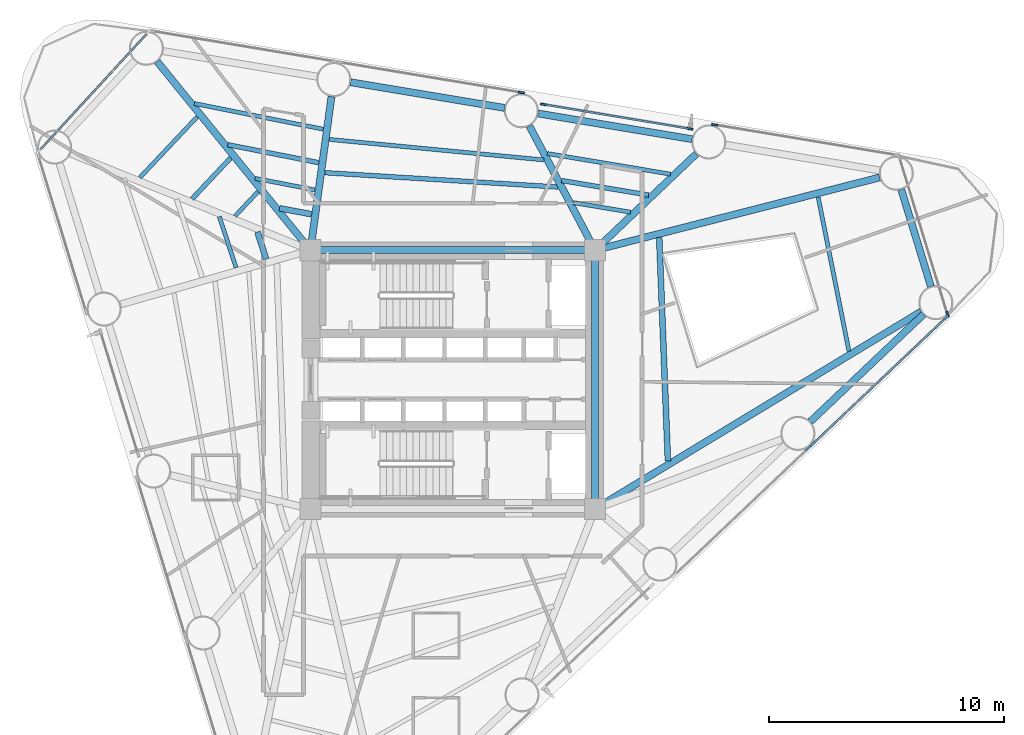
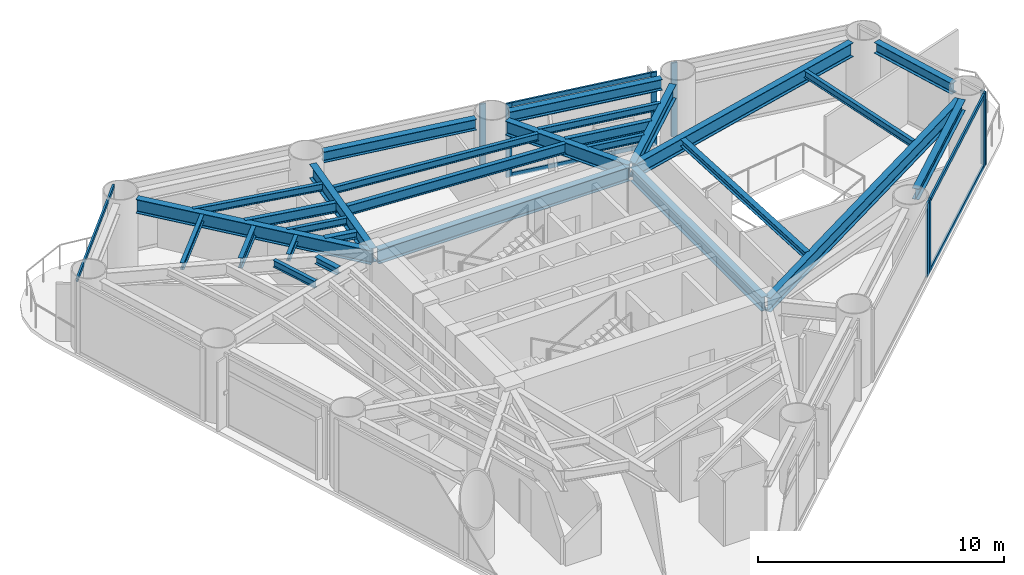
# One storey, part 3 of 10: 28 beams, 14 members, 7 elements without a shape of their own.
"""IFC4 building model written with IfcOpenShell, lengths in metres."""

from ifc_helpers import new_model, si_unit, direction, frame, origin, origin_2d, place, context, subcontext, project, spatial, rectangle, i_section, extrude, source, transform, mapped, material, layer, layer_set, material_profile, profile_set, type_object, element, aggregate, save


model = new_model("IFC4")

# Units and contexts
model_context = context("Model", 3, precision=1e-05, world=origin(), true_north=direction((0.0, 1.0)))
body_context = subcontext(model_context, "Body", "Model", "MODEL_VIEW")
ifc_project = project(units=[si_unit("LENGTHUNIT", "METRE"), si_unit("AREAUNIT", "SQUARE_METRE"), si_unit("VOLUMEUNIT", "CUBIC_METRE"), si_unit("PLANEANGLEUNIT", "RADIAN"), si_unit("MASSUNIT", "GRAM", prefix="KILO")], contexts=[model_context])

# Site, building, storey
site_placement = place(None, origin())
site = spatial("IfcSite", under=ifc_project, at=site_placement, CompositionType="ELEMENT")
building_placement = place(site_placement, origin())
building = spatial("IfcBuilding", under=site, at=building_placement, Name="Yunling Apex Tower", CompositionType="ELEMENT")
storey_placement = place(building_placement, frame((0.0, 0.0, 93.64990234375)))
storey = spatial("IfcBuildingStorey", under=building, at=storey_placement, Name="L23", CompositionType="ELEMENT", Elevation=93.64990234375)

# Beams
ifc_material_1 = material(Name="Steel Q355B", Category="steel")
ifc_material_profile_1 = material_profile(ifc_material_1, i_section(OverallWidth=0.300048828125, OverallDepth=0.699951171875, WebThickness=0.012939453125, FlangeThickness=0.02392578125, FilletRadius=0.02587890625, at=origin_2d()))
ifc_profile_set_1 = profile_set([ifc_material_profile_1], Name="Steel Q355B")
beam_type_1 = type_object("IfcBeamType", Name="BG-PRI-3", PredefinedType="USERDEFINED", material=ifc_profile_set_1)
shared_shape_1 = source(origin(), body_context, "Body", "SweptSolid", [
    extrude(i_section(OverallWidth=0.300048828125, OverallDepth=0.699951171875, WebThickness=0.012939453125, FlangeThickness=0.02392578125, FilletRadius=0.02587890625, at=origin_2d()), origin(), (0.0, 0.0, 1.0), 11.7998046875),
])
beam_1_placement = place(storey_placement, frame((5.89990234375, 5.5, 3.215087890625), z_axis=(-1.0, 0.0, 0.0), x_axis=(0.0, -1.0, 0.0)))
element("IfcBeam", 1, at=beam_1_placement, inside=storey, type_object=beam_type_1, Name="L23 Core Ring Tie Beam 3", ObjectType="GIRDER", PredefinedType="USERDEFINED", context=body_context, shape_type="MappedRepresentation", body=[
    mapped(shared_shape_1, transform((0.0, 0.0, 0.0), scale=1.0)),
])
shared_shape_2 = source(origin(), body_context, "Body", "SweptSolid", [
    extrude(i_section(OverallWidth=0.300048828125, OverallDepth=0.699951171875, WebThickness=0.012939453125, FlangeThickness=0.02392578125, FilletRadius=0.02587890625, at=origin_2d()), origin(), (0.0, 0.0, 1.0), 10.7001953125),
])
beam_2_placement = place(storey_placement, frame((6.050048828125, -5.35009765625, 3.215087890625), z_axis=(0.0, 1.0, 0.0), x_axis=(-1.0, 0.0, 0.0)))
element("IfcBeam", 2, at=beam_2_placement, inside=storey, type_object=beam_type_1, Name="L23 Core Ring Tie Beam 2", ObjectType="GIRDER", PredefinedType="USERDEFINED", context=body_context, shape_type="MappedRepresentation", body=[
    mapped(shared_shape_2, transform((0.0, 0.0, 0.0), scale=1.0)),
])
ifc_material_profile_2 = material_profile(ifc_material_1, i_section(OverallWidth=0.300048828125, OverallDepth=0.5400390625, WebThickness=0.011962890625, FlangeThickness=0.02001953125, FilletRadius=0.02392578125, at=origin_2d()))
ifc_profile_set_2 = profile_set([ifc_material_profile_2], Name="Steel Q355B")
beam_type_2 = type_object("IfcBeamType", Name="BP-SPN-1", PredefinedType="SPANDREL", material=ifc_profile_set_2)
shared_shape_3 = source(origin(), body_context, "Body", "SweptSolid", [
    extrude(i_section(OverallWidth=0.300048828125, OverallDepth=0.5400390625, WebThickness=0.011962890625, FlangeThickness=0.02001953125, FilletRadius=0.02392578125, at=origin_2d()), origin(), (0.0, 0.0, 1.0), 6.6416015625),
])
beam_3_placement = place(storey_placement, frame((15.194580078125, -1.79248046875, 3.295166015625), z_axis=(0.725873473547, 0.687828249203, 0.0), x_axis=(-0.687828249203, 0.725873473547, 0.0)))
element("IfcBeam", 3, at=beam_3_placement, inside=storey, type_object=beam_type_2, Name="L23 Perimeter Spandrel Beam 4", PredefinedType="SPANDREL", context=body_context, shape_type="MappedRepresentation", body=[
    mapped(shared_shape_3, transform((0.0, 0.0, 0.0), scale=1.0)),
])
shared_shape_4 = source(origin(), body_context, "Body", "SweptSolid", [
    extrude(i_section(OverallWidth=0.300048828125, OverallDepth=0.5400390625, WebThickness=0.011962890625, FlangeThickness=0.02001953125, FilletRadius=0.02392578125, at=origin_2d()), origin(), (0.0, 0.0, 1.0), 4.316162109375),
])
beam_4_placement = place(storey_placement, frame((20.327392578125, 3.9580078125, 3.295166015625), z_axis=(-0.29238810835, 0.956299740717, 0.0), x_axis=(-0.956299740717, -0.29238810835, 0.0)))
element("IfcBeam", 4, at=beam_4_placement, inside=storey, type_object=beam_type_2, Name="L23 Perimeter Spandrel Beam 5", PredefinedType="SPANDREL", context=body_context, shape_type="MappedRepresentation", body=[
    mapped(shared_shape_4, transform((0.0, 0.0, 0.0), scale=1.0)),
])
shared_shape_5 = source(origin(), body_context, "Body", "SweptSolid", [
    extrude(i_section(OverallWidth=0.300048828125, OverallDepth=0.5400390625, WebThickness=0.011962890625, FlangeThickness=0.02001953125, FilletRadius=0.02392578125, at=origin_2d()), origin(), (0.0, 0.0, 1.0), 6.641845703125),
])
for number, where, z_axis, x_axis, name in (
    (5, (10.176025390625, 10.21923828125, 3.295166015625), (-0.986402863526, 0.164345340146, 0.0), (-0.164345340146, -0.986402863526, 0.0), "L23 Perimeter Spandrel Beam 7"),
    (6, (2.206298828125, 11.547119140625, 3.295166015625), (-0.986396904036, 0.164381105081, 0.0), (-0.164381105081, -0.986396904036, 0.0), "L23 Perimeter Spandrel Beam 8"),
):
    element("IfcBeam", number, at=place(storey_placement, frame(where, z_axis=z_axis, x_axis=x_axis)), inside=storey, type_object=beam_type_2, Name=name, PredefinedType="SPANDREL", context=body_context, shape_type="MappedRepresentation", body=[
        mapped(shared_shape_5, transform((0.0, 0.0, 0.0), scale=1.0)),
    ])
shared_shape_6 = source(origin(), body_context, "Body", "SweptSolid", [
    extrude(i_section(OverallWidth=0.300048828125, OverallDepth=0.699951171875, WebThickness=0.012939453125, FlangeThickness=0.02392578125, FilletRadius=0.02587890625, at=origin_2d()), origin(), (0.0, 0.0, 1.0), 16.12255859375),
])
beam_5_placement = place(storey_placement, frame((19.91064453125, 2.890869140625, 3.215087890625), z_axis=(-0.855460711475, -0.517867715854, 0.0), x_axis=(0.517867715854, -0.855460711475, 0.0)))
element("IfcBeam", 7, at=beam_5_placement, inside=storey, type_object=beam_type_1, Name="L23 Radial Primary Girder R05", ObjectType="GIRDER", PredefinedType="USERDEFINED", context=body_context, shape_type="MappedRepresentation", body=[
    mapped(shared_shape_6, transform((0.0, 0.0, 0.0), scale=1.0)),
])
shared_shape_7 = source(origin(), body_context, "Body", "SweptSolid", [
    extrude(i_section(OverallWidth=0.300048828125, OverallDepth=0.699951171875, WebThickness=0.012939453125, FlangeThickness=0.02392578125, FilletRadius=0.02587890625, at=origin_2d()), origin(), (0.0, 0.0, 1.0), 12.404052734375),
])
beam_6_placement = place(storey_placement, frame((18.14501953125, 8.591552734375, 3.215087890625), z_axis=(-0.968850823376, -0.247645072723, 0.0), x_axis=(0.247645072723, -0.968850823376, 0.0)))
element("IfcBeam", 8, at=beam_6_placement, inside=storey, type_object=beam_type_1, Name="L23 Radial Primary Girder R06", ObjectType="GIRDER", PredefinedType="USERDEFINED", context=body_context, shape_type="MappedRepresentation", body=[
    mapped(shared_shape_7, transform((0.0, 0.0, 0.0), scale=1.0)),
])
shared_shape_8 = source(origin(), body_context, "Body", "SweptSolid", [
    extrude(i_section(OverallWidth=0.300048828125, OverallDepth=0.699951171875, WebThickness=0.012939453125, FlangeThickness=0.02392578125, FilletRadius=0.02587890625, at=origin_2d()), origin(), (0.0, 0.0, 1.0), 5.861572265625),
])
beam_7_placement = place(storey_placement, frame((10.354248046875, 9.595703125, 3.215087890625), z_axis=(-0.724444921608, -0.689332688588, 0.0), x_axis=(0.689332688588, -0.724444921608, 0.0)))
element("IfcBeam", 9, at=beam_7_placement, inside=storey, type_object=beam_type_1, Name="L23 Radial Primary Girder R07", ObjectType="GIRDER", PredefinedType="USERDEFINED", context=body_context, shape_type="MappedRepresentation", body=[
    mapped(shared_shape_8, transform((0.0, 0.0, 0.0), scale=1.0)),
])
shared_shape_9 = source(origin(), body_context, "Body", "SweptSolid", [
    extrude(i_section(OverallWidth=0.300048828125, OverallDepth=0.699951171875, WebThickness=0.012939453125, FlangeThickness=0.02392578125, FilletRadius=0.02587890625, at=origin_2d()), origin(), (0.0, 0.0, 1.0), 5.8935546875),
])
beam_8_placement = place(storey_placement, frame((3.258056640625, 10.781005859375, 3.215087890625), z_axis=(0.467396595772, -0.884047748858, 0.0), x_axis=(0.884047748858, 0.467396595772, 0.0)))
element("IfcBeam", 10, at=beam_8_placement, inside=storey, type_object=beam_type_1, Name="L23 Radial Primary Girder R08", ObjectType="GIRDER", PredefinedType="USERDEFINED", context=body_context, shape_type="MappedRepresentation", body=[
    mapped(shared_shape_9, transform((0.0, 0.0, 0.0), scale=1.0)),
])
shared_shape_10 = source(origin(), body_context, "Body", "SweptSolid", [
    extrude(i_section(OverallWidth=0.300048828125, OverallDepth=0.699951171875, WebThickness=0.012939453125, FlangeThickness=0.02392578125, FilletRadius=0.02587890625, at=origin_2d()), origin(), (0.0, 0.0, 1.0), 6.51171875),
])
beam_9_placement = place(storey_placement, frame((-5.154052734375, 12.03076171875, 3.215087890625), z_axis=(-0.135907866291, -0.990721480478, 0.0), x_axis=(0.990721480478, -0.135907866291, 0.0)))
element("IfcBeam", 11, at=beam_9_placement, inside=storey, type_object=beam_type_1, Name="L23 Radial Primary Girder R09", ObjectType="GIRDER", PredefinedType="USERDEFINED", context=body_context, shape_type="MappedRepresentation", body=[
    mapped(shared_shape_10, transform((0.0, 0.0, 0.0), scale=1.0)),
])
shared_shape_11 = source(origin(), body_context, "Body", "SweptSolid", [
    extrude(i_section(OverallWidth=0.300048828125, OverallDepth=0.699951171875, WebThickness=0.012939453125, FlangeThickness=0.02392578125, FilletRadius=0.02587890625, at=origin_2d()), origin(), (0.0, 0.0, 1.0), 10.248046875),
])
beam_10_placement = place(storey_placement, frame((-12.56201171875, 13.51611328125, 3.215087890625), z_axis=(0.630531635465, -0.776163550212, 0.0), x_axis=(0.776163550212, 0.630531635465, 0.0)))
element("IfcBeam", 12, at=beam_10_placement, inside=storey, type_object=beam_type_1, Name="L23 Radial Primary Girder R10", ObjectType="GIRDER", PredefinedType="USERDEFINED", context=body_context, shape_type="MappedRepresentation", body=[
    mapped(shared_shape_11, transform((0.0, 0.0, 0.0), scale=1.0)),
])
ifc_material_profile_3 = material_profile(ifc_material_1, i_section(OverallWidth=0.175048828125, OverallDepth=0.35009765625, WebThickness=0.007080078125, FlangeThickness=0.010986328125, FilletRadius=0.013916015625, at=origin_2d()))
ifc_profile_set_3 = profile_set([ifc_material_profile_3], Name="Steel Q355B")
beam_type_3 = type_object("IfcBeamType", Name="BJ-JST-1", PredefinedType="JOIST", material=ifc_profile_set_3)
shared_shape_12 = source(origin(), body_context, "Body", "SweptSolid", [
    extrude(i_section(OverallWidth=0.175048828125, OverallDepth=0.35009765625, WebThickness=0.007080078125, FlangeThickness=0.010986328125, FilletRadius=0.013916015625, at=origin_2d()), origin(), (0.0, 0.0, 1.0), 6.677978515625),
])
beam_11_placement = place(storey_placement, frame((16.844970703125, 1.2109375, 3.39013671875), z_axis=(-0.196502798026, 0.980503263823, 0.0), x_axis=(-0.980503263823, -0.196502798026, 0.0)))
element("IfcBeam", 13, at=beam_11_placement, inside=storey, type_object=beam_type_3, Name="L23 Composite Floor Joist BJ1-5", PredefinedType="JOIST", context=body_context, shape_type="MappedRepresentation", body=[
    mapped(shared_shape_12, transform((0.0, 0.0, 0.0), scale=1.0)),
])
ifc_material_profile_4 = material_profile(ifc_material_1, i_section(OverallWidth=0.25, OverallDepth=0.340087890625, WebThickness=0.009033203125, FlangeThickness=0.013916015625, FilletRadius=0.01806640625, at=origin_2d()))
ifc_profile_set_4 = profile_set([ifc_material_profile_4], Name="Steel Q355B")
beam_type_4 = type_object("IfcBeamType", Name="BJ-JST-2", PredefinedType="JOIST", material=ifc_profile_set_4)
shared_shape_13 = source(origin(), body_context, "Body", "SweptSolid", [
    extrude(i_section(OverallWidth=0.25, OverallDepth=0.340087890625, WebThickness=0.009033203125, FlangeThickness=0.013916015625, FilletRadius=0.01806640625, at=origin_2d()), origin(), (0.0, 0.0, 1.0), 9.504638671875),
])
beam_12_placement = place(storey_placement, frame((9.146484375, -3.4619140625, 3.39501953125), z_axis=(-0.038811925144, 0.999246533377, 0.0), x_axis=(-0.999246533377, -0.038811925144, 0.0)))
element("IfcBeam", 14, at=beam_12_placement, inside=storey, type_object=beam_type_4, Name="L23 Composite Floor Joist BJ2-5", PredefinedType="JOIST", context=body_context, shape_type="MappedRepresentation", body=[
    mapped(shared_shape_13, transform((0.0, 0.0, 0.0), scale=1.0)),
])
ifc_material_profile_5 = material_profile(ifc_material_1, i_section(OverallWidth=0.199951171875, OverallDepth=0.5, WebThickness=0.010009765625, FlangeThickness=0.01611328125, FilletRadius=0.02001953125, at=origin_2d()))
ifc_profile_set_5 = profile_set([ifc_material_profile_5], Name="Steel Q355B")
beam_type_5 = type_object("IfcBeamType", Name="BS-SEC-2", PredefinedType="BEAM", material=ifc_profile_set_5)
shared_shape_14 = source(origin(), body_context, "Body", "SweptSolid", [
    extrude(i_section(OverallWidth=0.199951171875, OverallDepth=0.5, WebThickness=0.010009765625, FlangeThickness=0.01611328125, FilletRadius=0.02001953125, at=origin_2d()), origin(), (0.0, 0.0, 1.0), 3.751708984375),
])
beam_13_placement = place(storey_placement, frame((8.328125, 7.84423828125, 3.315185546875), z_axis=(-0.986342871573, 0.164705008112, 0.0), x_axis=(-0.164705008112, -0.986342871573, 0.0)))
element("IfcBeam", 15, at=beam_13_placement, inside=storey, type_object=beam_type_5, Name="L23 Composite Floor Beam BS-7", PredefinedType="BEAM", context=body_context, shape_type="MappedRepresentation", body=[
    mapped(shared_shape_14, transform((0.0, 0.0, 0.0), scale=1.0)),
])
shared_shape_15 = source(origin(), body_context, "Body", "SweptSolid", [
    extrude(i_section(OverallWidth=0.175048828125, OverallDepth=0.35009765625, WebThickness=0.007080078125, FlangeThickness=0.010986328125, FilletRadius=0.013916015625, at=origin_2d()), origin(), (0.0, 0.0, 1.0), 5.31298828125),
])
beam_14_placement = place(storey_placement, frame((9.26220703125, 8.733154296875, 3.39013671875), z_axis=(-0.9863379805, 0.164734295835, 0.0), x_axis=(-0.164734295835, -0.9863379805, 0.0)))
element("IfcBeam", 16, at=beam_14_placement, inside=storey, type_object=beam_type_3, Name="L23 Composite Floor Joist BJ1-7", PredefinedType="JOIST", context=body_context, shape_type="MappedRepresentation", body=[
    mapped(shared_shape_15, transform((0.0, 0.0, 0.0), scale=1.0)),
])
shared_shape_16 = source(origin(), body_context, "Body", "SweptSolid", [
    extrude(i_section(OverallWidth=0.175048828125, OverallDepth=0.35009765625, WebThickness=0.007080078125, FlangeThickness=0.010986328125, FilletRadius=0.013916015625, at=origin_2d()), origin(), (0.0, 0.0, 1.0), 2.4736328125),
])
beam_15_placement = place(storey_placement, frame((7.563720703125, 7.116943359375, 3.39013671875), z_axis=(-0.986340524185, 0.164719064925, 0.0), x_axis=(-0.164719064925, -0.986340524185, 0.0)))
element("IfcBeam", 17, at=beam_15_placement, inside=storey, type_object=beam_type_3, Name="L23 Composite Floor Joist BJ3-7", PredefinedType="JOIST", context=body_context, shape_type="MappedRepresentation", body=[
    mapped(shared_shape_16, transform((0.0, 0.0, 0.0), scale=1.0)),
])
shared_shape_17 = source(origin(), body_context, "Body", "SweptSolid", [
    extrude(i_section(OverallWidth=0.199951171875, OverallDepth=0.5, WebThickness=0.010009765625, FlangeThickness=0.01611328125, FilletRadius=0.02001953125, at=origin_2d()), origin(), (0.0, 0.0, 1.0), 9.931396484375),
])
beam_16_placement = place(storey_placement, frame((4.4755859375, 8.185791015625, 3.315185546875), z_axis=(-0.998115763158, 0.061358971106, 0.0), x_axis=(-0.061358971106, -0.998115763158, 0.0)))
element("IfcBeam", 18, at=beam_16_placement, inside=storey, type_object=beam_type_5, Name="L23 Composite Floor Beam BS-8", PredefinedType="BEAM", context=body_context, shape_type="MappedRepresentation", body=[
    mapped(shared_shape_17, transform((0.0, 0.0, 0.0), scale=1.0)),
])
shared_shape_18 = source(origin(), body_context, "Body", "SweptSolid", [
    extrude(i_section(OverallWidth=0.175048828125, OverallDepth=0.35009765625, WebThickness=0.007080078125, FlangeThickness=0.010986328125, FilletRadius=0.013916015625, at=origin_2d()), origin(), (0.0, 0.0, 1.0), 9.154296875),
])
beam_17_placement = place(storey_placement, frame((3.8701171875, 9.33740234375, 3.39013671875), z_axis=(-0.99545727606, 0.095209303851, 0.0), x_axis=(-0.095209303851, -0.99545727606, 0.0)))
element("IfcBeam", 19, at=beam_17_placement, inside=storey, type_object=beam_type_3, Name="L23 Composite Floor Joist BJ1-8", PredefinedType="JOIST", context=body_context, shape_type="MappedRepresentation", body=[
    mapped(shared_shape_18, transform((0.0, 0.0, 0.0), scale=1.0)),
])
shared_shape_19 = source(origin(), body_context, "Body", "SweptSolid", [
    extrude(i_section(OverallWidth=0.199951171875, OverallDepth=0.5, WebThickness=0.010009765625, FlangeThickness=0.01611328125, FilletRadius=0.02001953125, at=origin_2d()), origin(), (0.0, 0.0, 1.0), 3.93603515625),
])
beam_18_placement = place(storey_placement, frame((-5.700439453125, 9.22314453125, 3.315185546875), z_axis=(-0.981071392503, 0.193646386002, 0.0), x_axis=(-0.193646386002, -0.981071392503, 0.0)))
element("IfcBeam", 20, at=beam_18_placement, inside=storey, type_object=beam_type_5, Name="L23 Composite Floor Beam BS-9", PredefinedType="BEAM", context=body_context, shape_type="MappedRepresentation", body=[
    mapped(shared_shape_19, transform((0.0, 0.0, 0.0), scale=1.0)),
])
shared_shape_20 = source(origin(), body_context, "Body", "SweptSolid", [
    extrude(i_section(OverallWidth=0.175048828125, OverallDepth=0.35009765625, WebThickness=0.007080078125, FlangeThickness=0.010986328125, FilletRadius=0.013916015625, at=origin_2d()), origin(), (0.0, 0.0, 1.0), 5.5859375),
])
beam_19_placement = place(storey_placement, frame((-5.505615234375, 10.642822265625, 3.39013671875), z_axis=(-0.980703200221, 0.195502514243, 0.0), x_axis=(-0.195502514243, -0.980703200221, 0.0)))
element("IfcBeam", 21, at=beam_19_placement, inside=storey, type_object=beam_type_3, Name="L23 Composite Floor Joist BJ1-9", PredefinedType="JOIST", context=body_context, shape_type="MappedRepresentation", body=[
    mapped(shared_shape_20, transform((0.0, 0.0, 0.0), scale=1.0)),
])
shared_shape_21 = source(origin(), body_context, "Body", "SweptSolid", [
    extrude(i_section(OverallWidth=0.175048828125, OverallDepth=0.35009765625, WebThickness=0.007080078125, FlangeThickness=0.010986328125, FilletRadius=0.013916015625, at=origin_2d()), origin(), (0.0, 0.0, 1.0), 2.586181640625),
])
beam_20_placement = place(storey_placement, frame((-5.85986328125, 8.061279296875, 3.39013671875), z_axis=(-0.981668903035, 0.190594241295, 0.0), x_axis=(-0.190594241295, -0.981668903035, 0.0)))
element("IfcBeam", 22, at=beam_20_placement, inside=storey, type_object=beam_type_3, Name="L23 Composite Floor Joist BJ3-9", PredefinedType="JOIST", context=body_context, shape_type="MappedRepresentation", body=[
    mapped(shared_shape_21, transform((0.0, 0.0, 0.0), scale=1.0)),
])
shared_shape_22 = source(origin(), body_context, "Body", "SweptSolid", [
    extrude(i_section(OverallWidth=0.25, OverallDepth=0.340087890625, WebThickness=0.009033203125, FlangeThickness=0.013916015625, FilletRadius=0.01806640625, at=origin_2d()), origin(), (0.0, 0.0, 1.0), 1.38671875),
])
beam_21_placement = place(storey_placement, frame((-6.001708984375, 7.028076171875, 3.39501953125), z_axis=(-0.982993560329, 0.183640029272, 0.0), x_axis=(-0.183640029272, -0.982993560329, 0.0)))
element("IfcBeam", 23, at=beam_21_placement, inside=storey, type_object=beam_type_4, Name="L23 Composite Floor Joist BJ2-9", PredefinedType="JOIST", context=body_context, shape_type="MappedRepresentation", body=[
    mapped(shared_shape_22, transform((0.0, 0.0, 0.0), scale=1.0)),
])
shared_shape_23 = source(origin(), body_context, "Body", "SweptSolid", [
    extrude(i_section(OverallWidth=0.199951171875, OverallDepth=0.5, WebThickness=0.010009765625, FlangeThickness=0.01611328125, FilletRadius=0.02001953125, at=origin_2d()), origin(), (0.0, 0.0, 1.0), 2.385498046875),
])
beam_22_placement = place(storey_placement, frame((-9.44091796875, 9.422607421875, 3.315185546875), z_axis=(-0.685604091154, -0.727974608207, 0.0), x_axis=(0.727974608207, -0.685604091154, 0.0)))
element("IfcBeam", 24, at=beam_22_placement, inside=storey, type_object=beam_type_5, Name="L23 Composite Floor Beam BS-10", PredefinedType="BEAM", context=body_context, shape_type="MappedRepresentation", body=[
    mapped(shared_shape_23, transform((0.0, 0.0, 0.0), scale=1.0)),
])
shared_shape_24 = source(origin(), body_context, "Body", "SweptSolid", [
    extrude(i_section(OverallWidth=0.175048828125, OverallDepth=0.35009765625, WebThickness=0.007080078125, FlangeThickness=0.010986328125, FilletRadius=0.013916015625, at=origin_2d()), origin(), (0.0, 0.0, 1.0), 3.558349609375),
])
beam_23_placement = place(storey_placement, frame((-10.862548828125, 11.172607421875, 3.39013671875), z_axis=(-0.685976545908, -0.727623651666, 0.0), x_axis=(0.727623651666, -0.685976545908, 0.0)))
element("IfcBeam", 25, at=beam_23_placement, inside=storey, type_object=beam_type_3, Name="L23 Composite Floor Joist BJ1-10", PredefinedType="JOIST", context=body_context, shape_type="MappedRepresentation", body=[
    mapped(shared_shape_24, transform((0.0, 0.0, 0.0), scale=1.0)),
])
shared_shape_25 = source(origin(), body_context, "Body", "SweptSolid", [
    extrude(i_section(OverallWidth=0.175048828125, OverallDepth=0.35009765625, WebThickness=0.007080078125, FlangeThickness=0.010986328125, FilletRadius=0.013916015625, at=origin_2d()), origin(), (0.0, 0.0, 1.0), 1.42578125),
])
beam_24_placement = place(storey_placement, frame((-8.277587890625, 7.99072265625, 3.39013671875), z_axis=(-0.68493728069, -0.728602032334, 0.0), x_axis=(0.728602032334, -0.68493728069, 0.0)))
element("IfcBeam", 26, at=beam_24_placement, inside=storey, type_object=beam_type_3, Name="L23 Composite Floor Joist BJ3-10", PredefinedType="JOIST", context=body_context, shape_type="MappedRepresentation", body=[
    mapped(shared_shape_25, transform((0.0, 0.0, 0.0), scale=1.0)),
])
shared_shape_26 = source(origin(), body_context, "Body", "SweptSolid", [
    extrude(i_section(OverallWidth=0.175048828125, OverallDepth=0.35009765625, WebThickness=0.007080078125, FlangeThickness=0.010986328125, FilletRadius=0.013916015625, at=origin_2d()), origin(), (0.0, 0.0, 1.0), 2.277099609375),
])
beam_25_placement = place(storey_placement, frame((-9.92138671875, 6.927978515625, 3.39013671875), z_axis=(0.311044342957, -0.950395400196, 0.0), x_axis=(0.950395400196, 0.311044342957, 0.0)))
element("IfcBeam", 27, at=beam_25_placement, inside=storey, type_object=beam_type_3, Name="L23 Composite Floor Joist BJ3-11", PredefinedType="JOIST", context=body_context, shape_type="MappedRepresentation", body=[
    mapped(shared_shape_26, transform((0.0, 0.0, 0.0), scale=1.0)),
])
shared_shape_27 = source(origin(), body_context, "Body", "SweptSolid", [
    extrude(i_section(OverallWidth=0.25, OverallDepth=0.340087890625, WebThickness=0.009033203125, FlangeThickness=0.013916015625, FilletRadius=0.01806640625, at=origin_2d()), origin(), (0.0, 0.0, 1.0), 1.2041015625),
])
beam_26_placement = place(storey_placement, frame((-8.302490234375, 6.275146484375, 3.39501953125), z_axis=(0.306173262139, -0.951975805129, 0.0), x_axis=(0.951975805129, 0.306173262139, 0.0)))
element("IfcBeam", 28, at=beam_26_placement, inside=storey, type_object=beam_type_4, Name="L23 Composite Floor Joist BJ2-11", PredefinedType="JOIST", context=body_context, shape_type="MappedRepresentation", body=[
    mapped(shared_shape_27, transform((0.0, 0.0, 0.0), scale=1.0)),
])

# Curtain wall, member
ifc_material_2 = material(Name="Bronze anodised aluminium", Category="aluminium")
ifc_layer = layer(ifc_material_2, 0.260009765625)
ifc_layer_set = layer_set([ifc_layer], Name="Bronze anodised aluminium")
curtain_wall_type = type_object("IfcCurtainWallType", Name="CW-SYS-2", PredefinedType="NOTDEFINED", material=ifc_layer_set)
curtain_wall_1_placement = place(storey_placement, origin())
curtain_wall_1 = element("IfcCurtainWall", 29, at=curtain_wall_1_placement, inside=storey, type_object=curtain_wall_type, Name="CW-L23-F1-B3", PredefinedType="NOTDEFINED")
ifc_material_profile_6 = material_profile(ifc_material_2, rectangle(XDim=0.0849609375, YDim=0.260009765625, at=origin_2d()))
ifc_profile_set_6 = profile_set([ifc_material_profile_6], Name="Bronze anodised aluminium")
member_type_1 = type_object("IfcMemberType", Name="CW-MUL-2", PredefinedType="MULLION", material=ifc_profile_set_6)
shared_shape_28 = source(origin(), body_context, "Body", "SweptSolid", [
    extrude(rectangle(XDim=0.0849609375, YDim=0.260009765625, at=origin_2d()), origin(), (0.0, 0.0, 1.0), 3.664794921875),
])
member_1_placement = place(storey_placement, frame((15.106689453125, -2.923095703125, -0.0498046875), z_axis=(0.0, 0.0, 1.0), x_axis=(-0.687861264918, 0.72584218686, 0.0)))
member_1 = element("IfcMember", 30, at=member_1_placement, type_object=member_type_1, Name="CW-SYS-2 mullion 2", PredefinedType="MULLION", context=body_context, shape_type="MappedRepresentation", body=[
    mapped(shared_shape_28, transform((0.0, 0.0, 0.0), scale=1.0)),
])
aggregate(curtain_wall_1, [member_1])

# Curtain wall, members
curtain_wall_2_placement = place(storey_placement, origin())
curtain_wall_2 = element("IfcCurtainWall", 31, at=curtain_wall_2_placement, inside=storey, type_object=curtain_wall_type, Name="CW-L23-F1-B4", PredefinedType="NOTDEFINED")
member_2_placement = place(storey_placement, frame((15.28466796875, -2.754638671875, -0.0498046875), z_axis=(0.0, 0.0, 1.0), x_axis=(-0.687861264918, 0.72584218686, 0.0)))
member_2 = element("IfcMember", 32, at=member_2_placement, type_object=member_type_1, Name="CW-SYS-2 mullion 1", PredefinedType="MULLION", context=body_context, shape_type="MappedRepresentation", body=[
    mapped(shared_shape_28, transform((0.0, 0.0, 0.0), scale=1.0)),
])
member_3_placement = place(storey_placement, frame((20.971435546875, 2.634765625, -0.0498046875), z_axis=(0.0, 0.0, 1.0), x_axis=(-0.687861264918, 0.72584218686, 0.0)))
member_3 = element("IfcMember", 33, at=member_3_placement, type_object=member_type_1, Name="CW-SYS-2 mullion 2", PredefinedType="MULLION", context=body_context, shape_type="MappedRepresentation", body=[
    mapped(shared_shape_28, transform((0.0, 0.0, 0.0), scale=1.0)),
])

# Curtain wall, member
curtain_wall_3_placement = place(storey_placement, origin())
curtain_wall_3 = element("IfcCurtainWall", 34, at=curtain_wall_3_placement, inside=storey, type_object=curtain_wall_type, Name="CW-L23-CRN1", PredefinedType="NOTDEFINED")
member_4_placement = place(storey_placement, frame((21.0341796875, 2.77392578125, -0.0498046875), z_axis=(0.0, 0.0, 1.0), x_axis=(-0.95630374567, -0.292375009223, 0.0)))
member_4 = element("IfcMember", 35, at=member_4_placement, type_object=member_type_1, Name="CW-SYS-2 mullion 1", PredefinedType="MULLION", context=body_context, shape_type="MappedRepresentation", body=[
    mapped(shared_shape_28, transform((0.0, 0.0, 0.0), scale=1.0)),
])
aggregate(curtain_wall_3, [member_4])

curtain_wall_4_placement = place(storey_placement, origin())
curtain_wall_4 = element("IfcCurtainWall", 36, at=curtain_wall_4_placement, inside=storey, type_object=curtain_wall_type, Name="CW-L23-F2-B1", PredefinedType="NOTDEFINED")
member_5_placement = place(storey_placement, frame((11.131103515625, 10.83056640625, -0.0498046875), z_axis=(0.0, 0.0, 1.0), x_axis=(-0.16436008369, -0.98640040698, 0.0)))
member_5 = element("IfcMember", 37, at=member_5_placement, type_object=member_type_1, Name="CW-SYS-2 mullion 2", PredefinedType="MULLION", context=body_context, shape_type="MappedRepresentation", body=[
    mapped(shared_shape_28, transform((0.0, 0.0, 0.0), scale=1.0)),
])
aggregate(curtain_wall_4, [member_5])

# Curtain wall, members
curtain_wall_5_placement = place(storey_placement, origin())
curtain_wall_5 = element("IfcCurtainWall", 38, at=curtain_wall_5_placement, inside=storey, type_object=curtain_wall_type, Name="CW-L23-F2-B2", PredefinedType="NOTDEFINED")
member_6_placement = place(storey_placement, frame((10.078857421875, 10.6611328125, -0.0498046875), z_axis=(0.0, 0.0, 1.0), x_axis=(-0.164355844023, -0.986401113409, 0.0)))
member_6 = element("IfcMember", 39, at=member_6_placement, type_object=member_type_1, Name="CW-SYS-2 mullion 1", PredefinedType="MULLION", context=body_context, shape_type="MappedRepresentation", body=[
    mapped(shared_shape_28, transform((0.0, 0.0, 0.0), scale=1.0)),
])
member_7_placement = place(storey_placement, frame((3.85986328125, 11.697509765625, -0.0498046875), z_axis=(0.0, 0.0, 1.0), x_axis=(-0.164355844023, -0.986401113409, 0.0)))
member_7 = element("IfcMember", 40, at=member_7_placement, type_object=member_type_1, Name="CW-SYS-2 mullion 2", PredefinedType="MULLION", context=body_context, shape_type="MappedRepresentation", body=[
    mapped(shared_shape_28, transform((0.0, 0.0, 0.0), scale=1.0)),
])

# Curtain wall, member
curtain_wall_6_placement = place(storey_placement, origin())
curtain_wall_6 = element("IfcCurtainWall", 41, at=curtain_wall_6_placement, inside=storey, type_object=curtain_wall_type, Name="CW-L23-F2-B3", PredefinedType="NOTDEFINED")
member_8_placement = place(storey_placement, frame((2.91943359375, 12.198974609375, -0.0498046875), z_axis=(0.0, 0.0, 1.0), x_axis=(-0.164362130784, -0.986400065878, 0.0)))
member_8 = element("IfcMember", 42, at=member_8_placement, type_object=member_type_1, Name="CW-SYS-2 mullion 1", PredefinedType="MULLION", context=body_context, shape_type="MappedRepresentation", body=[
    mapped(shared_shape_28, transform((0.0, 0.0, 0.0), scale=1.0)),
])
aggregate(curtain_wall_6, [member_8])

# Member
ifc_material_profile_7 = material_profile(ifc_material_2, rectangle(XDim=0.0849609375, YDim=0.199951171875, at=origin_2d()))
ifc_profile_set_7 = profile_set([ifc_material_profile_7], Name="Bronze anodised aluminium")
member_type_2 = type_object("IfcMemberType", Name="CW-TRN-2", PredefinedType="USERDEFINED", material=ifc_profile_set_7)
shared_shape_29 = source(origin(), body_context, "Body", "SweptSolid", [
    extrude(rectangle(XDim=0.0849609375, YDim=0.199951171875, at=origin_2d()), origin(), (0.0, 0.0, 1.0), 7.75830078125),
])
member_9_placement = place(storey_placement, frame((15.312255859375, -2.728271484375, 0.04248046875), z_axis=(0.725842697135, 0.687860726467, 0.0), x_axis=(-0.687860726467, 0.725842697135, 0.0)))
member_9 = element("IfcMember", 43, at=member_9_placement, type_object=member_type_2, Name="CW-SYS-2 transom 1.1", ObjectType="TRANSOM", PredefinedType="USERDEFINED", context=body_context, shape_type="MappedRepresentation", body=[
    mapped(shared_shape_29, transform((0.0, 0.0, 0.0), scale=1.0)),
])

member_10_placement = place(storey_placement, frame((15.312255859375, -2.728271484375, 3.522705078125), z_axis=(0.725842697135, 0.687860726467, 0.0), x_axis=(-0.687860726467, 0.725842697135, 0.0)))
member_10 = element("IfcMember", 44, at=member_10_placement, type_object=member_type_2, Name="CW-SYS-2 transom 1.2", ObjectType="TRANSOM", PredefinedType="USERDEFINED", context=body_context, shape_type="MappedRepresentation", body=[
    mapped(shared_shape_29, transform((0.0, 0.0, 0.0), scale=1.0)),
])

aggregate(curtain_wall_2, [member_2, member_3, member_9, member_10])

shared_shape_30 = source(origin(), body_context, "Body", "SweptSolid", [
    extrude(rectangle(XDim=0.0849609375, YDim=0.199951171875, at=origin_2d()), origin(), (0.0, 0.0, 1.0), 6.228515625),
])
member_11_placement = place(storey_placement, frame((10.041259765625, 10.66748046875, 0.04248046875), z_axis=(-0.986401338544, 0.164354492848, 0.0), x_axis=(-0.164354492848, -0.986401338544, 0.0)))
member_11 = element("IfcMember", 45, at=member_11_placement, type_object=member_type_2, Name="CW-SYS-2 transom 1.1", ObjectType="TRANSOM", PredefinedType="USERDEFINED", context=body_context, shape_type="MappedRepresentation", body=[
    mapped(shared_shape_30, transform((0.0, 0.0, 0.0), scale=1.0)),
])

member_12_placement = place(storey_placement, frame((10.041259765625, 10.66748046875, 2.715087890625), z_axis=(-0.986401338544, 0.164354492848, 0.0), x_axis=(-0.164354492848, -0.986401338544, 0.0)))
member_12 = element("IfcMember", 46, at=member_12_placement, type_object=member_type_2, Name="CW-SYS-2 transom 1.2", ObjectType="TRANSOM", PredefinedType="USERDEFINED", context=body_context, shape_type="MappedRepresentation", body=[
    mapped(shared_shape_30, transform((0.0, 0.0, 0.0), scale=1.0)),
])

member_13_placement = place(storey_placement, frame((10.041259765625, 10.66748046875, 3.522705078125), z_axis=(-0.986401338544, 0.164354492848, 0.0), x_axis=(-0.164354492848, -0.986401338544, 0.0)))
member_13 = element("IfcMember", 47, at=member_13_placement, type_object=member_type_2, Name="CW-SYS-2 transom 1.3", ObjectType="TRANSOM", PredefinedType="USERDEFINED", context=body_context, shape_type="MappedRepresentation", body=[
    mapped(shared_shape_30, transform((0.0, 0.0, 0.0), scale=1.0)),
])

aggregate(curtain_wall_5, [member_6, member_7, member_11, member_12, member_13])

# Curtain wall, member
curtain_wall_7_placement = place(storey_placement, origin())
curtain_wall_7 = element("IfcCurtainWall", 48, at=curtain_wall_7_placement, inside=storey, type_object=curtain_wall_type, Name="CW-L23-CRN2", PredefinedType="NOTDEFINED")
shared_shape_31 = source(origin(), body_context, "Body", "SweptSolid", [
    extrude(rectangle(XDim=0.0849609375, YDim=0.199951171875, at=origin_2d()), origin(), (0.0, 0.0, 1.0), 6.831298828125),
])
member_14_placement = place(storey_placement, frame((-12.957275390625, 14.755615234375, 3.522705078125), z_axis=(-0.676783953504, -0.73618168972, 0.0), x_axis=(0.73618168972, -0.676783953504, 0.0)))
member_14 = element("IfcMember", 49, at=member_14_placement, type_object=member_type_2, Name="CW-SYS-2 transom 1.2", ObjectType="TRANSOM", PredefinedType="USERDEFINED", context=body_context, shape_type="MappedRepresentation", body=[
    mapped(shared_shape_31, transform((0.0, 0.0, 0.0), scale=1.0)),
])
aggregate(curtain_wall_7, [member_14])

save(model, "model.ifc")
